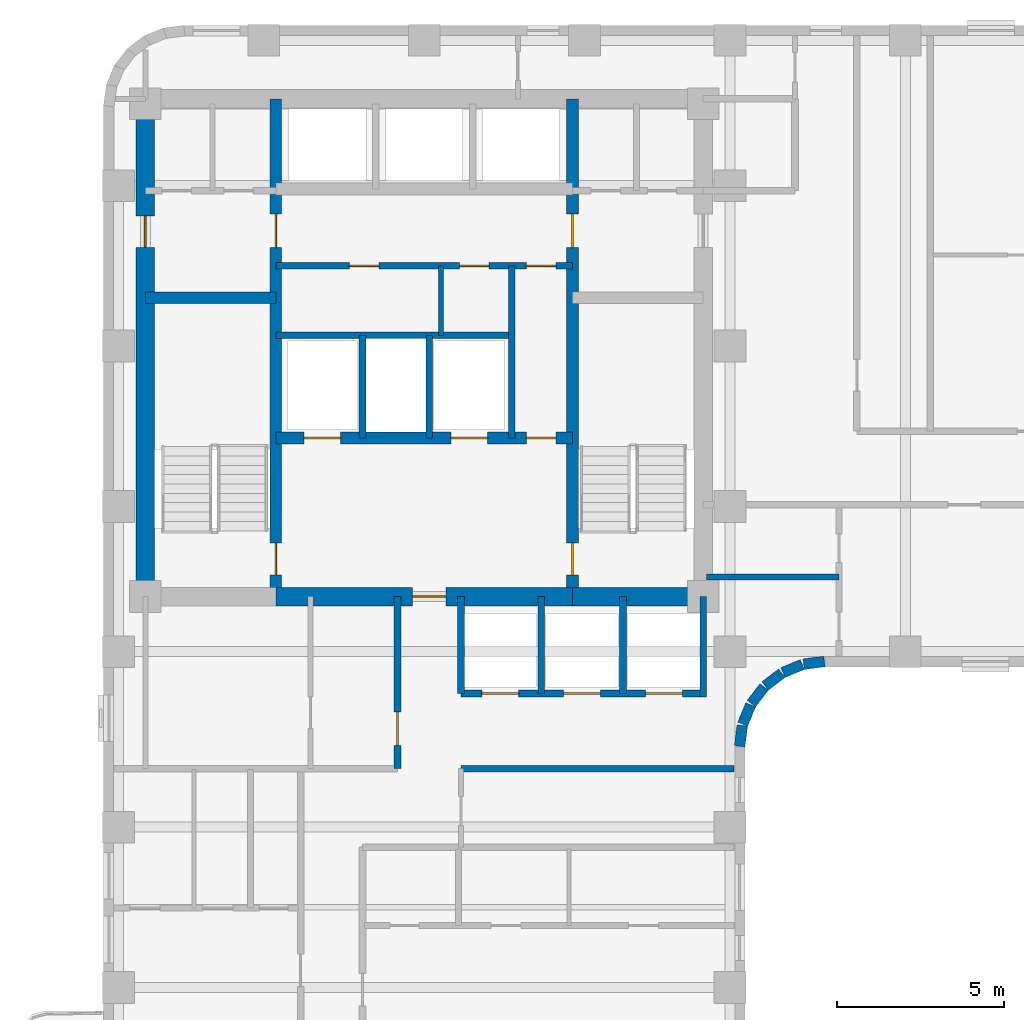
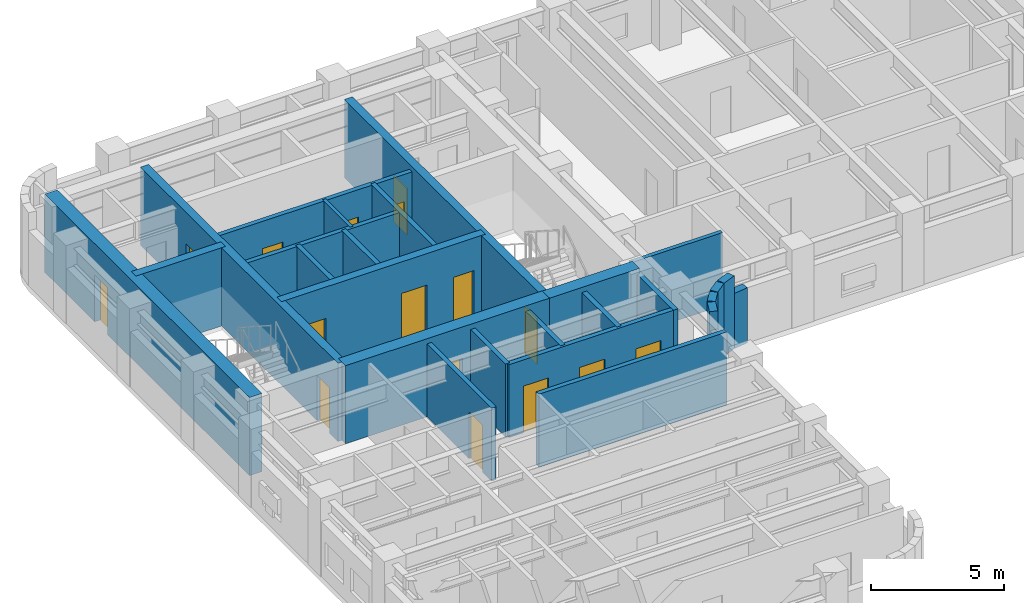
# One storey, part 4 of 10: 27 walls, 16 doors, 16 openings.
"""IFC4 building model written with IfcOpenShell, lengths in metres."""

from ifc_helpers import new_model, si_unit, direction, frame, frame_2d, origin, place, context, subcontext, project, spatial, rectangle, extrude, material, layer, layer_set, type_object, element, fill, save


model = new_model("IFC4")

# Units and contexts
model_context = context("Model", 3, precision=1e-05, world=origin(), true_north=direction((0.0, 1.0)))
body_context = subcontext(model_context, "Body", "Model", "MODEL_VIEW")
ifc_project = project(units=[si_unit("LENGTHUNIT", "METRE"), si_unit("AREAUNIT", "SQUARE_METRE"), si_unit("VOLUMEUNIT", "CUBIC_METRE"), si_unit("PLANEANGLEUNIT", "RADIAN"), si_unit("MASSUNIT", "GRAM", prefix="KILO")], contexts=[model_context])

# Site, building, storey
site_placement = place(None, origin())
site = spatial("IfcSite", under=ifc_project, at=site_placement, CompositionType="ELEMENT")
building_placement = place(site_placement, origin())
building = spatial("IfcBuilding", under=site, at=building_placement, Name="Orvandelia Arch Residences", CompositionType="ELEMENT")
storey_placement = place(building_placement, frame((0.0, 0.0, 121.60009765625)))
storey = spatial("IfcBuildingStorey", under=building, at=storey_placement, Name="L31", CompositionType="ELEMENT", Elevation=121.60009765625)

# Wall, openings, doors
ifc_material_1 = material(Name="Concrete C50/60", Category="concrete")
ifc_layer_1 = layer(ifc_material_1, 0.35009765625, Name="Concrete C50/60", Category="concrete")
ifc_layer_set_1 = layer_set([ifc_layer_1], Name="Concrete C50/60")
wall_type_1 = type_object("IfcWallType", Name="WL-CORE-350", PredefinedType="SHEAR", material=ifc_layer_set_1)
wall_1_placement = place(storey_placement, frame((9.9599609375, 30.89990234375, 0.0), z_axis=(0.0, 0.0, 1.0), x_axis=(0.0, 1.0, 0.0)))
wall_1 = element("IfcWall", 1, at=wall_1_placement, inside=storey, type_object=wall_type_1, Name="Core Shear Wall L31-WEB1", PredefinedType="SHEAR", context=body_context, shape_type="SweptSolid", body=[
    extrude(rectangle(XDim=14.900146484375, YDim=0.35009765625, at=frame_2d((7.4501953125, 0.0))), origin(), (0.0, 0.0, 1.0), 3.599853515625),
])
opening_1_placement = place(wall_1_placement, frame((0.64990234375, 0.0, 0.0)))
opening_1 = element("IfcOpeningElement", 2, at=opening_1_placement, cuts=wall_1, Name="Opening D7", PredefinedType="OPENING", context=body_context, shape_type="SweptSolid", body=[
    extrude(rectangle(XDim=0.949951171875, YDim=2.10009765625, at=frame_2d((0.47509765625, 1.050048828125))), frame((0.0, 0.18505859375, 0.0), z_axis=(0.0, -1.0, 0.0), x_axis=(1.0, 0.0, 0.0)), (0.0, 0.0, 1.0), 0.3701171875),
])
opening_2_placement = place(wall_1_placement, frame((10.449951171875, 0.0, 0.0)))
opening_2 = element("IfcOpeningElement", 3, at=opening_2_placement, cuts=wall_1, Name="Opening D6", PredefinedType="OPENING", context=body_context, shape_type="SweptSolid", body=[
    extrude(rectangle(XDim=1.0, YDim=2.14990234375, at=frame_2d((0.5, 1.074951171875))), frame((0.0, 0.18505859375, 0.0), z_axis=(0.0, -1.0, 0.0), x_axis=(1.0, 0.0, 0.0)), (0.0, 0.0, 1.0), 0.3701171875),
])
ifc_material_2 = material(Name="Smokeproof Painted Steel Fire Door", Category="steel")
door_type_1 = type_object("IfcDoorType", Name="DR-FD60-1000", OperationType="NOTDEFINED", PredefinedType="DOOR", material=ifc_material_2)
door_1_placement = place(opening_2_placement, origin())
door_1 = element("IfcDoor", 4, at=door_1_placement, inside=storey, type_object=door_type_1, Name="High-Rise Lift Hall West Vestibule Door L31", OperationType="SINGLE_SWING_LEFT", OverallHeight=2.14990234375, OverallWidth=1.0, PredefinedType="DOOR", context=body_context, shape_type="SweptSolid", body=[
    extrude(rectangle(XDim=1.0, YDim=2.14990234375, at=frame_2d((0.5, 1.074951171875))), frame((0.0, 0.02490234375, 0.0), z_axis=(0.0, -1.0, 0.0), x_axis=(1.0, 0.0, 0.0)), (0.0, 0.0, 1.0), 0.050048828125),
])
fill(opening_2, door_1)
ifc_material_3 = material(Name="Pressurised Stairwell Fire Door")
door_type_2 = type_object("IfcDoorType", Name="DR-STAIR-950", OperationType="NOTDEFINED", PredefinedType="DOOR", material=ifc_material_3)
door_2_placement = place(opening_1_placement, origin())
door_2 = element("IfcDoor", 5, at=door_2_placement, inside=storey, type_object=door_type_2, Name="Stairwell ST-1 Fire Door L31", OperationType="SINGLE_SWING_LEFT", OverallHeight=2.10009765625, OverallWidth=0.949951171875, PredefinedType="DOOR", context=body_context, shape_type="SweptSolid", body=[
    extrude(rectangle(XDim=0.949951171875, YDim=2.10009765625, at=frame_2d((0.47509765625, 1.050048828125))), frame((0.0, 0.02490234375, 0.0), z_axis=(0.0, -1.0, 0.0), x_axis=(1.0, 0.0, 0.0)), (0.0, 0.0, 1.0), 0.050048828125),
])
fill(opening_1, door_2)

wall_2_placement = place(storey_placement, frame((18.840087890625, 30.89990234375, 0.0), z_axis=(0.0, 0.0, 1.0), x_axis=(0.0, 1.0, 0.0)))
wall_2 = element("IfcWall", 6, at=wall_2_placement, inside=storey, type_object=wall_type_1, Name="Core Shear Wall L31-WEB2", PredefinedType="SHEAR", context=body_context, shape_type="SweptSolid", body=[
    extrude(rectangle(XDim=14.900146484375, YDim=0.35009765625, at=frame_2d((7.4501953125, 0.0))), origin(), (0.0, 0.0, 1.0), 3.599853515625),
])
opening_3_placement = place(wall_2_placement, frame((0.64990234375, 0.0, 0.0)))
opening_3 = element("IfcOpeningElement", 7, at=opening_3_placement, cuts=wall_2, Name="Opening D7", PredefinedType="OPENING", context=body_context, shape_type="SweptSolid", body=[
    extrude(rectangle(XDim=0.949951171875, YDim=2.10009765625, at=frame_2d((0.47509765625, 1.050048828125))), frame((0.0, 0.18505859375, 0.0), z_axis=(0.0, -1.0, 0.0), x_axis=(1.0, 0.0, 0.0)), (0.0, 0.0, 1.0), 0.3701171875),
])
opening_4_placement = place(wall_2_placement, frame((10.449951171875, 0.0, 0.0)))
opening_4 = element("IfcOpeningElement", 8, at=opening_4_placement, cuts=wall_2, Name="Opening D6", PredefinedType="OPENING", context=body_context, shape_type="SweptSolid", body=[
    extrude(rectangle(XDim=1.0, YDim=2.14990234375, at=frame_2d((0.5, 1.074951171875))), frame((0.0, 0.18505859375, 0.0), z_axis=(0.0, -1.0, 0.0), x_axis=(1.0, 0.0, 0.0)), (0.0, 0.0, 1.0), 0.3701171875),
])
door_3_placement = place(opening_4_placement, origin())
door_3 = element("IfcDoor", 9, at=door_3_placement, inside=storey, type_object=door_type_1, Name="High-Rise Lift Hall East Vestibule Door L31", OperationType="SINGLE_SWING_RIGHT", OverallHeight=2.14990234375, OverallWidth=1.0, PredefinedType="DOOR", context=body_context, shape_type="SweptSolid", body=[
    extrude(rectangle(XDim=1.0, YDim=2.14990234375, at=frame_2d((0.5, 1.074951171875))), frame((0.0, 0.02490234375, 0.0), z_axis=(0.0, -1.0, 0.0), x_axis=(1.0, 0.0, 0.0)), (0.0, 0.0, 1.0), 0.050048828125),
])
fill(opening_4, door_3)
door_4_placement = place(opening_3_placement, origin())
door_4 = element("IfcDoor", 10, at=door_4_placement, inside=storey, type_object=door_type_2, Name="Stairwell ST-2 Fire Door L31", OperationType="SINGLE_SWING_RIGHT", OverallHeight=2.10009765625, OverallWidth=0.949951171875, PredefinedType="DOOR", context=body_context, shape_type="SweptSolid", body=[
    extrude(rectangle(XDim=0.949951171875, YDim=2.10009765625, at=frame_2d((0.47509765625, 1.050048828125))), frame((0.0, 0.02490234375, 0.0), z_axis=(0.0, -1.0, 0.0), x_axis=(1.0, 0.0, 0.0)), (0.0, 0.0, 1.0), 0.050048828125),
])
fill(opening_3, door_4)

# Wall
wall_3_placement = place(storey_placement, frame((6.050048828125, 39.85009765625, 0.0), z_axis=(0.0, 0.0, 1.0), x_axis=(1.0, 0.0, 0.0)))
element("IfcWall", 11, at=wall_3_placement, inside=storey, type_object=wall_type_1, Name="Core Shear Wall L31-HZ1", PredefinedType="SHEAR", context=body_context, shape_type="SweptSolid", body=[
    extrude(rectangle(XDim=3.909912109375, YDim=0.35009765625, at=frame_2d((1.955078125, 0.0))), origin(), (0.0, 0.0, 1.0), 3.599853515625),
])

# Wall, openings, doors
wall_4_placement = place(storey_placement, frame((9.9599609375, 35.64990234375, 0.0), z_axis=(0.0, 0.0, 1.0), x_axis=(1.0, 0.0, 0.0)))
wall_4 = element("IfcWall", 12, at=wall_4_placement, inside=storey, type_object=wall_type_1, Name="Core Shear Wall L31-HZ3", PredefinedType="SHEAR", context=body_context, shape_type="SweptSolid", body=[
    extrude(rectangle(XDim=8.880126953125, YDim=0.35009765625, at=frame_2d((4.43994140625, 0.0))), origin(), (0.0, 0.0, 1.0), 3.599853515625),
])
opening_5_placement = place(wall_4_placement, frame((0.840087890625, 0.0, 0.0)))
opening_5 = element("IfcOpeningElement", 13, at=opening_5_placement, cuts=wall_4, Name="Opening FLD", PredefinedType="OPENING", context=body_context, shape_type="SweptSolid", body=[
    extrude(rectangle(XDim=1.10009765625, YDim=2.14990234375, at=frame_2d((0.550048828125, 1.074951171875))), frame((0.0, 0.18505859375, 0.0), z_axis=(0.0, -1.0, 0.0), x_axis=(1.0, 0.0, 0.0)), (0.0, 0.0, 1.0), 0.3701171875),
])
opening_6_placement = place(wall_4_placement, frame((5.239990234375, 0.0, 0.0)))
opening_6 = element("IfcOpeningElement", 14, at=opening_6_placement, cuts=wall_4, Name="Opening FLD", PredefinedType="OPENING", context=body_context, shape_type="SweptSolid", body=[
    extrude(rectangle(XDim=1.10009765625, YDim=2.14990234375, at=frame_2d((0.550048828125, 1.074951171875))), frame((0.0, 0.18505859375, 0.0), z_axis=(0.0, -1.0, 0.0), x_axis=(1.0, 0.0, 0.0)), (0.0, 0.0, 1.0), 0.3701171875),
])
opening_7_placement = place(wall_4_placement, frame((7.5, 0.0, 0.0)))
opening_7 = element("IfcOpeningElement", 15, at=opening_7_placement, cuts=wall_4, Name="Opening D5", PredefinedType="OPENING", context=body_context, shape_type="SweptSolid", body=[
    extrude(rectangle(XDim=0.8798828125, YDim=2.10009765625, at=frame_2d((0.43994140625, 1.050048828125))), frame((0.0, 0.18505859375, 0.0), z_axis=(0.0, -1.0, 0.0), x_axis=(1.0, 0.0, 0.0)), (0.0, 0.0, 1.0), 0.3701171875),
])
ifc_material_4 = material(Name="Firefighting Lift Stainless Sliding Door")
door_type_3 = type_object("IfcDoorType", Name="DR-FLFT-1100", OperationType="NOTDEFINED", PredefinedType="DOOR", material=ifc_material_4)
door_5_placement = place(opening_5_placement, origin())
door_5 = element("IfcDoor", 16, at=door_5_placement, inside=storey, type_object=door_type_3, Name="Firefighting Lift Landing Door FLD-FL1-L31", OperationType="SLIDING_TO_LEFT", OverallHeight=2.14990234375, OverallWidth=1.10009765625, PredefinedType="DOOR", context=body_context, shape_type="SweptSolid", body=[
    extrude(rectangle(XDim=1.10009765625, YDim=2.14990234375, at=frame_2d((0.550048828125, 1.074951171875))), frame((0.0, 0.02490234375, 0.0), z_axis=(0.0, -1.0, 0.0), x_axis=(1.0, 0.0, 0.0)), (0.0, 0.0, 1.0), 0.050048828125),
])
fill(opening_5, door_5)
door_6_placement = place(opening_6_placement, origin())
door_6 = element("IfcDoor", 17, at=door_6_placement, inside=storey, type_object=door_type_3, Name="Firefighting Lift Landing Door FLD-FL2-L31", OperationType="SLIDING_TO_RIGHT", OverallHeight=2.14990234375, OverallWidth=1.10009765625, PredefinedType="DOOR", context=body_context, shape_type="SweptSolid", body=[
    extrude(rectangle(XDim=1.10009765625, YDim=2.14990234375, at=frame_2d((0.550048828125, 1.074951171875))), frame((0.0, 0.02490234375, 0.0), z_axis=(0.0, -1.0, 0.0), x_axis=(1.0, 0.0, 0.0)), (0.0, 0.0, 1.0), 0.050048828125),
])
fill(opening_6, door_6)
ifc_material_5 = material(Name="Painted Galvanised Steel Service Door", Category="steel")
door_type_4 = type_object("IfcDoorType", Name="DR-SRV-880", OperationType="NOTDEFINED", PredefinedType="DOOR", material=ifc_material_5)
door_7_placement = place(opening_7_placement, origin())
door_7 = element("IfcDoor", 18, at=door_7_placement, inside=storey, type_object=door_type_4, Name="Core Stairway Passage South Fire Door L31", OperationType="SINGLE_SWING_LEFT", OverallHeight=2.10009765625, OverallWidth=0.8798828125, PredefinedType="DOOR", context=body_context, shape_type="SweptSolid", body=[
    extrude(rectangle(XDim=0.8798828125, YDim=2.10009765625, at=frame_2d((0.43994140625, 1.050048828125))), frame((0.0, 0.02490234375, 0.0), z_axis=(0.0, -1.0, 0.0), x_axis=(1.0, 0.0, 0.0)), (0.0, 0.0, 1.0), 0.050048828125),
])
fill(opening_7, door_7)

# Wall, opening, door
ifc_material_6 = material(Name="Concrete C60/75", Category="concrete")
ifc_layer_2 = layer(ifc_material_6, 0.550048828125, Name="Concrete C60/75", Category="concrete")
ifc_layer_set_2 = layer_set([ifc_layer_2], Name="Concrete C60/75")
wall_type_2 = type_object("IfcWallType", Name="WL-CORE-550", PredefinedType="SHEAR", material=ifc_layer_set_2)
wall_5_placement = place(storey_placement, frame((6.050048828125, 30.625, 0.0), z_axis=(0.0, 0.0, 1.0), x_axis=(0.0, 1.0, 0.0)))
wall_5 = element("IfcWall", 19, at=wall_5_placement, inside=storey, type_object=wall_type_2, Name="Core Shear Wall L31-W", PredefinedType="SHEAR", context=body_context, shape_type="SweptSolid", body=[
    extrude(rectangle(XDim=15.449951171875, YDim=0.550048828125, at=frame_2d((7.72509765625, 0.0))), origin(), (0.0, 0.0, 1.0), 3.599853515625),
])
opening_8_placement = place(wall_5_placement, frame((10.72509765625, 0.0, 0.0)))
opening_8 = element("IfcOpeningElement", 20, at=opening_8_placement, cuts=wall_5, Name="Opening D2", PredefinedType="OPENING", context=body_context, shape_type="SweptSolid", body=[
    extrude(rectangle(XDim=0.949951171875, YDim=2.14990234375, at=frame_2d((0.47509765625, 1.074951171875))), frame((0.0, 0.28515625, 0.0), z_axis=(0.0, -1.0, 0.0), x_axis=(1.0, 0.0, 0.0)), (0.0, 0.0, 1.0), 0.570068359375),
])
ifc_material_7 = material(Name="Solid-Core Timber Interior Fire Door", Category="wood")
door_type_5 = type_object("IfcDoorType", Name="DR-APT-950", OperationType="NOTDEFINED", PredefinedType="DOOR", material=ifc_material_7)
door_8_placement = place(opening_8_placement, origin())
door_8 = element("IfcDoor", 21, at=door_8_placement, inside=storey, type_object=door_type_5, Name="West Viewing Study Door L31", OperationType="SINGLE_SWING_RIGHT", OverallHeight=2.14990234375, OverallWidth=0.949951171875, PredefinedType="DOOR", context=body_context, shape_type="SweptSolid", body=[
    extrude(rectangle(XDim=0.949951171875, YDim=2.14990234375, at=frame_2d((0.47509765625, 1.074951171875))), frame((0.0, 0.02490234375, 0.0), z_axis=(0.0, -1.0, 0.0), x_axis=(1.0, 0.0, 0.0)), (0.0, 0.0, 1.0), 0.050048828125),
])
fill(opening_8, door_8)

wall_6_placement = place(storey_placement, frame((9.9599609375, 30.89990234375, 0.0), z_axis=(0.0, 0.0, 1.0), x_axis=(1.0, 0.0, 0.0)))
wall_6 = element("IfcWall", 22, at=wall_6_placement, inside=storey, type_object=wall_type_2, Name="Core Shear Wall L31-SM", PredefinedType="SHEAR", context=body_context, shape_type="SweptSolid", body=[
    extrude(rectangle(XDim=8.880126953125, YDim=0.550048828125, at=frame_2d((4.43994140625, 0.0))), origin(), (0.0, 0.0, 1.0), 3.599853515625),
])
opening_9_placement = place(wall_6_placement, frame((4.090087890625, 0.0, 0.0)))
opening_9 = element("IfcOpeningElement", 23, at=opening_9_placement, cuts=wall_6, Name="Opening D6", PredefinedType="OPENING", context=body_context, shape_type="SweptSolid", body=[
    extrude(rectangle(XDim=1.0, YDim=2.14990234375, at=frame_2d((0.5, 1.074951171875))), frame((0.0, 0.28515625, 0.0), z_axis=(0.0, -1.0, 0.0), x_axis=(1.0, 0.0, 0.0)), (0.0, 0.0, 1.0), 0.570068359375),
])
door_9_placement = place(opening_9_placement, origin())
door_9 = element("IfcDoor", 24, at=door_9_placement, inside=storey, type_object=door_type_1, Name="Firefighting Lobby Smokeproof Door L31", OperationType="SINGLE_SWING_LEFT", OverallHeight=2.14990234375, OverallWidth=1.0, PredefinedType="DOOR", context=body_context, shape_type="SweptSolid", body=[
    extrude(rectangle(XDim=1.0, YDim=2.14990234375, at=frame_2d((0.5, 1.074951171875))), frame((0.0, 0.02490234375, 0.0), z_axis=(0.0, -1.0, 0.0), x_axis=(1.0, 0.0, 0.0)), (0.0, 0.0, 1.0), 0.050048828125),
])
fill(opening_9, door_9)

# Walls
wall_7_placement = place(storey_placement, frame((18.840087890625, 30.89990234375, 0.0), z_axis=(0.0, 0.0, 1.0), x_axis=(1.0, 0.0, 0.0)))
element("IfcWall", 25, at=wall_7_placement, inside=storey, type_object=wall_type_2, Name="Core Shear Wall L31-SE", PredefinedType="SHEAR", context=body_context, shape_type="SweptSolid", body=[
    extrude(rectangle(XDim=3.909912109375, YDim=0.550048828125, at=frame_2d((1.955078125, 0.0))), origin(), (0.0, 0.0, 1.0), 3.599853515625),
])
ifc_material_8 = material(Name="Fire-Rated Corridor Partition")
ifc_layer_3 = layer(ifc_material_8, 0.199951171875, Name="Fire-Rated Corridor Partition")
ifc_layer_set_3 = layer_set([ifc_layer_3], Name="Fire-Rated Corridor Partition")
wall_type_3 = type_object("IfcWallType", Name="WL-CORR-200", PredefinedType="PARTITIONING", material=ifc_layer_set_3)
wall_8_placement = place(storey_placement, frame((15.5, 25.75, 0.0), z_axis=(0.0, 0.0, 1.0), x_axis=(1.0, 0.0, 0.0)))
element("IfcWall", 26, at=wall_8_placement, inside=storey, type_object=wall_type_3, Name="Interior Partition Wall WL-L31-WLNK-NE2", PredefinedType="PARTITIONING", context=body_context, shape_type="SweptSolid", body=[
    extrude(rectangle(XDim=8.179931640625, YDim=0.199951171875, at=frame_2d((4.08984375, 0.0))), origin(), (0.0, 0.0, 1.0), 3.35986328125),
])
ifc_material_9 = material(Name="Precast concrete C40/50", Category="concrete")
ifc_layer_4 = layer(ifc_material_9, 0.320068359375, Name="Precast concrete C40/50", Category="concrete")
ifc_layer_set_4 = layer_set([ifc_layer_4], Name="Precast concrete C40/50")
wall_type_4 = type_object("IfcWallType", Name="WL-EXT-STONE-320", PredefinedType="STANDARD", material=ifc_layer_set_4)
wall_9_placement = place(storey_placement, frame((26.379150390625, 28.95849609375, 0.0), z_axis=(0.0, 0.0, 1.0), x_axis=(-0.991447664465, -0.130504898859, 0.0)))
element("IfcWall", 27, at=wall_9_placement, inside=storey, type_object=wall_type_4, Name="Coral-Limestone Precast Facade Wall L31-022", PredefinedType="STANDARD", context=body_context, shape_type="SweptSolid", body=[
    extrude(rectangle(XDim=0.626708984375, YDim=0.320068359375, at=frame_2d((0.3134765625, 0.0))), origin(), (0.0, 0.0, 1.0), 2.539794921875),
])
wall_10_placement = place(storey_placement, frame((25.717529296875, 28.865966796875, 0.0), z_axis=(0.0, 0.0, 1.0), x_axis=(-0.923836271867, -0.382787856107, 0.0)))
element("IfcWall", 28, at=wall_10_placement, inside=storey, type_object=wall_type_4, Name="Coral-Limestone Precast Facade Wall L31-023", PredefinedType="STANDARD", context=body_context, shape_type="SweptSolid", body=[
    extrude(rectangle(XDim=0.626220703125, YDim=0.320068359375, at=frame_2d((0.31298828125, 0.0))), origin(), (0.0, 0.0, 1.0), 3.35986328125),
])
for number, where, z_axis, x_axis, name in (
    (29, (25.1025390625, 28.60546875, 0.0), (0.0, 0.0, 1.0), (-0.793405610854, -0.608693302629, 0.0), "Coral-Limestone Precast Facade Wall L31-024"),
    (30, (24.575927734375, 28.194580078125, 0.0), (0.0, 0.0, 1.0), (-0.608693302629, -0.793405610854, 0.0), "Coral-Limestone Precast Facade Wall L31-025"),
):
    element("IfcWall", number, at=place(storey_placement, frame(where, z_axis=z_axis, x_axis=x_axis)), inside=storey, type_object=wall_type_4, Name=name, PredefinedType="STANDARD", context=body_context, shape_type="SweptSolid", body=[
        extrude(rectangle(XDim=0.62646484375, YDim=0.320068359375, at=frame_2d((0.313232421875, 0.0))), origin(), (0.0, 0.0, 1.0), 3.35986328125),
    ])
wall_11_placement = place(storey_placement, frame((24.173583984375, 27.6611328125, 0.0), z_axis=(0.0, 0.0, 1.0), x_axis=(-0.382455093999, -0.923974080304, 0.0)))
element("IfcWall", 31, at=wall_11_placement, inside=storey, type_object=wall_type_4, Name="Coral-Limestone Precast Facade Wall L31-026", PredefinedType="STANDARD", context=body_context, shape_type="SweptSolid", body=[
    extrude(rectangle(XDim=0.626220703125, YDim=0.320068359375, at=frame_2d((0.31298828125, 0.0))), origin(), (0.0, 0.0, 1.0), 3.35986328125),
])
wall_12_placement = place(storey_placement, frame((23.923095703125, 27.0419921875, 0.0), z_axis=(0.0, 0.0, 1.0), x_axis=(-0.130555323746, -0.9914410257, 0.0)))
element("IfcWall", 32, at=wall_12_placement, inside=storey, type_object=wall_type_4, Name="Coral-Limestone Precast Facade Wall L31-027", PredefinedType="STANDARD", context=body_context, shape_type="SweptSolid", body=[
    extrude(rectangle(XDim=0.62646484375, YDim=0.320068359375, at=frame_2d((0.313232421875, 0.0))), origin(), (0.0, 0.0, 1.0), 2.539794921875),
])
ifc_material_10 = material(Name="Acoustic Gypsum Stud Partition")
ifc_layer_5 = layer(ifc_material_10, 0.14990234375, Name="Acoustic Gypsum Stud Partition")
ifc_layer_set_5 = layer_set([ifc_layer_5], Name="Acoustic Gypsum Stud Partition")
wall_type_5 = type_object("IfcWallType", Name="WL-PART-150", PredefinedType="PARTITIONING", material=ifc_layer_set_5)
wall_13_placement = place(storey_placement, frame((14.89990234375, 38.719970703125, 0.0), z_axis=(0.0, 0.0, 1.0), x_axis=(0.0, 1.0, 0.0)))
element("IfcWall", 33, at=wall_13_placement, inside=storey, type_object=wall_type_5, Name="Interior Partition Wall WL-L31-CSA-1", PredefinedType="PARTITIONING", context=body_context, shape_type="SweptSolid", body=[
    extrude(rectangle(XDim=2.080078125, YDim=0.14990234375, at=frame_2d((1.0400390625, 0.0))), origin(), (0.0, 0.0, 1.0), 3.35986328125),
])
ifc_material_11 = material(Name="Fire-Rated Shaft Enclosure Wall")
ifc_layer_6 = layer(ifc_material_11, 0.199951171875, Name="Fire-Rated Shaft Enclosure Wall")
ifc_layer_set_6 = layer_set([ifc_layer_6], Name="Fire-Rated Shaft Enclosure Wall")
wall_type_6 = type_object("IfcWallType", Name="WL-SHAFT-200", PredefinedType="POLYGONAL", material=ifc_layer_set_6)
wall_14_placement = place(storey_placement, frame((9.9599609375, 38.719970703125, 0.0), z_axis=(0.0, 0.0, 1.0), x_axis=(1.0, 0.0, 0.0)))
element("IfcWall", 34, at=wall_14_placement, inside=storey, type_object=wall_type_6, Name="Interior Partition Wall WL-L31-FLN", PredefinedType="POLYGONAL", context=body_context, shape_type="SweptSolid", body=[
    extrude(rectangle(XDim=7.06005859375, YDim=0.199951171875, at=frame_2d((3.530029296875, 0.0))), origin(), (0.0, 0.0, 1.0), 3.35986328125),
])
for number, where, z_axis, x_axis, name in (
    (35, (12.550048828125, 35.64990234375, 0.0), (0.0, 0.0, 1.0), (0.0, 1.0, 0.0), "Interior Partition Wall WL-L31-FLM1"),
    (36, (14.550048828125, 35.64990234375, 0.0), (0.0, 0.0, 1.0), (0.0, 1.0, 0.0), "Interior Partition Wall WL-L31-FLM2"),
):
    element("IfcWall", number, at=place(storey_placement, frame(where, z_axis=z_axis, x_axis=x_axis)), inside=storey, type_object=wall_type_6, Name=name, PredefinedType="POLYGONAL", context=body_context, shape_type="SweptSolid", body=[
        extrude(rectangle(XDim=3.070068359375, YDim=0.199951171875, at=frame_2d((1.53515625, 0.0))), origin(), (0.0, 0.0, 1.0), 3.35986328125),
    ])
wall_15_placement = place(storey_placement, frame((17.02001953125, 35.64990234375, 0.0), z_axis=(0.0, 0.0, 1.0), x_axis=(0.0, 1.0, 0.0)))
element("IfcWall", 37, at=wall_15_placement, inside=storey, type_object=wall_type_6, Name="Interior Partition Wall WL-L31-FLM3", PredefinedType="POLYGONAL", context=body_context, shape_type="SweptSolid", body=[
    extrude(rectangle(XDim=5.150146484375, YDim=0.199951171875, at=frame_2d((2.5751953125, 0.0))), origin(), (0.0, 0.0, 1.0), 3.35986328125),
])

# Wall, openings, doors
wall_16_placement = place(storey_placement, frame((9.9599609375, 40.800048828125, 0.0), z_axis=(0.0, 0.0, 1.0), x_axis=(1.0, 0.0, 0.0)))
wall_16 = element("IfcWall", 38, at=wall_16_placement, inside=storey, type_object=wall_type_6, Name="Interior Partition Wall WL-L31-HLH-S", PredefinedType="POLYGONAL", context=body_context, shape_type="SweptSolid", body=[
    extrude(rectangle(XDim=8.880126953125, YDim=0.199951171875, at=frame_2d((4.43994140625, 0.0))), origin(), (0.0, 0.0, 1.0), 3.35986328125),
])
opening_10_placement = place(wall_16_placement, frame((7.5, 0.0, 0.0)))
opening_10 = element("IfcOpeningElement", 39, at=opening_10_placement, cuts=wall_16, Name="Opening D5", PredefinedType="OPENING", context=body_context, shape_type="SweptSolid", body=[
    extrude(rectangle(XDim=0.8798828125, YDim=2.10009765625, at=frame_2d((0.43994140625, 1.050048828125))), frame((0.0, 0.10986328125, 0.0), z_axis=(0.0, -1.0, 0.0), x_axis=(1.0, 0.0, 0.0)), (0.0, 0.0, 1.0), 0.219970703125),
])
opening_11_placement = place(wall_16_placement, frame((2.199951171875, 0.0, 0.0)))
opening_11 = element("IfcOpeningElement", 40, at=opening_11_placement, cuts=wall_16, Name="Opening D5", PredefinedType="OPENING", context=body_context, shape_type="SweptSolid", body=[
    extrude(rectangle(XDim=0.8798828125, YDim=2.10009765625, at=frame_2d((0.43994140625, 1.050048828125))), frame((0.0, 0.10986328125, 0.0), z_axis=(0.0, -1.0, 0.0), x_axis=(1.0, 0.0, 0.0)), (0.0, 0.0, 1.0), 0.219970703125),
])
opening_12_placement = place(wall_16_placement, frame((5.5, 0.0, 0.0)))
opening_12 = element("IfcOpeningElement", 41, at=opening_12_placement, cuts=wall_16, Name="Opening D5", PredefinedType="OPENING", context=body_context, shape_type="SweptSolid", body=[
    extrude(rectangle(XDim=0.8798828125, YDim=2.10009765625, at=frame_2d((0.43994140625, 1.050048828125))), frame((0.0, 0.10986328125, 0.0), z_axis=(0.0, -1.0, 0.0), x_axis=(1.0, 0.0, 0.0)), (0.0, 0.0, 1.0), 0.219970703125),
])
door_10_placement = place(opening_10_placement, origin())
door_10 = element("IfcDoor", 42, at=door_10_placement, inside=storey, type_object=door_type_4, Name="Core Stairway Passage North Fire Door L31", OperationType="SINGLE_SWING_RIGHT", OverallHeight=2.10009765625, OverallWidth=0.8798828125, PredefinedType="DOOR", context=body_context, shape_type="SweptSolid", body=[
    extrude(rectangle(XDim=0.8798828125, YDim=2.10009765625, at=frame_2d((0.43994140625, 1.050048828125))), frame((0.0, 0.02490234375, 0.0), z_axis=(0.0, -1.0, 0.0), x_axis=(1.0, 0.0, 0.0)), (0.0, 0.0, 1.0), 0.050048828125),
])
fill(opening_10, door_10)
door_11_placement = place(opening_11_placement, origin())
door_11 = element("IfcDoor", 43, at=door_11_placement, inside=storey, type_object=door_type_4, Name="DR-L31-CSA1", OperationType="SINGLE_SWING_RIGHT", OverallHeight=2.10009765625, OverallWidth=0.8798828125, PredefinedType="DOOR", context=body_context, shape_type="SweptSolid", body=[
    extrude(rectangle(XDim=0.8798828125, YDim=2.10009765625, at=frame_2d((0.43994140625, 1.050048828125))), frame((0.0, 0.02490234375, 0.0), z_axis=(0.0, -1.0, 0.0), x_axis=(1.0, 0.0, 0.0)), (0.0, 0.0, 1.0), 0.050048828125),
])
fill(opening_11, door_11)
door_12_placement = place(opening_12_placement, origin())
door_12 = element("IfcDoor", 44, at=door_12_placement, inside=storey, type_object=door_type_4, Name="DR-L31-CSA2", OperationType="SINGLE_SWING_LEFT", OverallHeight=2.10009765625, OverallWidth=0.8798828125, PredefinedType="DOOR", context=body_context, shape_type="SweptSolid", body=[
    extrude(rectangle(XDim=0.8798828125, YDim=2.10009765625, at=frame_2d((0.43994140625, 1.050048828125))), frame((0.0, 0.02490234375, 0.0), z_axis=(0.0, -1.0, 0.0), x_axis=(1.0, 0.0, 0.0)), (0.0, 0.0, 1.0), 0.050048828125),
])
fill(opening_12, door_12)

# Wall, opening, door
wall_17_placement = place(storey_placement, frame((13.60009765625, 25.75, 0.0), z_axis=(0.0, 0.0, 1.0), x_axis=(0.0, 1.0, 0.0)))
wall_17 = element("IfcWall", 45, at=wall_17_placement, inside=storey, type_object=wall_type_6, Name="Interior Partition Wall WL-L31-B1REUSE-E", PredefinedType="POLYGONAL", context=body_context, shape_type="SweptSolid", body=[
    extrude(rectangle(XDim=5.14990234375, YDim=0.199951171875, at=frame_2d((2.574951171875, 0.0))), origin(), (0.0, 0.0, 1.0), 3.35986328125),
])
opening_13_placement = place(wall_17_placement, frame((0.699951171875, 0.0, 0.0)))
opening_13 = element("IfcOpeningElement", 46, at=opening_13_placement, cuts=wall_17, Name="Opening D6", PredefinedType="OPENING", context=body_context, shape_type="SweptSolid", body=[
    extrude(rectangle(XDim=1.0, YDim=2.14990234375, at=frame_2d((0.5, 1.074951171875))), frame((0.0, 0.10986328125, 0.0), z_axis=(0.0, -1.0, 0.0), x_axis=(1.0, 0.0, 0.0)), (0.0, 0.0, 1.0), 0.219970703125),
])
door_13_placement = place(opening_13_placement, origin())
door_13 = element("IfcDoor", 47, at=door_13_placement, inside=storey, type_object=door_type_1, Name="DR-L31-B1RE", OperationType="SINGLE_SWING_LEFT", OverallHeight=2.14990234375, OverallWidth=1.0, PredefinedType="DOOR", context=body_context, shape_type="SweptSolid", body=[
    extrude(rectangle(XDim=1.0, YDim=2.14990234375, at=frame_2d((0.5, 1.074951171875))), frame((0.0, 0.02490234375, 0.0), z_axis=(0.0, -1.0, 0.0), x_axis=(1.0, 0.0, 0.0)), (0.0, 0.0, 1.0), 0.050048828125),
])
fill(opening_13, door_13)

# Wall, openings, doors
wall_18_placement = place(storey_placement, frame((15.5, 28.0, 0.0), z_axis=(0.0, 0.0, 1.0), x_axis=(1.0, 0.0, 0.0)))
wall_18 = element("IfcWall", 48, at=wall_18_placement, inside=storey, type_object=wall_type_6, Name="Interior Partition Wall WL-L31-BNKM-S", PredefinedType="POLYGONAL", context=body_context, shape_type="SweptSolid", body=[
    extrude(rectangle(XDim=7.25, YDim=0.199951171875, at=frame_2d((3.625, 0.0))), origin(), (0.0, 0.0, 1.0), 3.35986328125),
])
opening_14_placement = place(wall_18_placement, frame((0.625, 0.0, 0.0)))
opening_14 = element("IfcOpeningElement", 49, at=opening_14_placement, cuts=wall_18, Name="Opening LD", PredefinedType="OPENING", context=body_context, shape_type="SweptSolid", body=[
    extrude(rectangle(XDim=1.10009765625, YDim=2.14990234375, at=frame_2d((0.550048828125, 1.074951171875))), frame((0.0, 0.10986328125, 0.0), z_axis=(0.0, -1.0, 0.0), x_axis=(1.0, 0.0, 0.0)), (0.0, 0.0, 1.0), 0.219970703125),
])
opening_15_placement = place(wall_18_placement, frame((3.074951171875, 0.0, 0.0)))
opening_15 = element("IfcOpeningElement", 50, at=opening_15_placement, cuts=wall_18, Name="Opening LD", PredefinedType="OPENING", context=body_context, shape_type="SweptSolid", body=[
    extrude(rectangle(XDim=1.10009765625, YDim=2.14990234375, at=frame_2d((0.550048828125, 1.074951171875))), frame((0.0, 0.10986328125, 0.0), z_axis=(0.0, -1.0, 0.0), x_axis=(1.0, 0.0, 0.0)), (0.0, 0.0, 1.0), 0.219970703125),
])
opening_16_placement = place(wall_18_placement, frame((5.52490234375, 0.0, 0.0)))
opening_16 = element("IfcOpeningElement", 51, at=opening_16_placement, cuts=wall_18, Name="Opening LD", PredefinedType="OPENING", context=body_context, shape_type="SweptSolid", body=[
    extrude(rectangle(XDim=1.10009765625, YDim=2.14990234375, at=frame_2d((0.550048828125, 1.074951171875))), frame((0.0, 0.10986328125, 0.0), z_axis=(0.0, -1.0, 0.0), x_axis=(1.0, 0.0, 0.0)), (0.0, 0.0, 1.0), 0.219970703125),
])
ifc_material_12 = material(Name="Brushed Stainless Steel Sliding Lift Door", Category="steel")
door_type_6 = type_object("IfcDoorType", Name="DR-LIFT-1100", OperationType="NOTDEFINED", PredefinedType="DOOR", material=ifc_material_12)
door_14_placement = place(opening_14_placement, origin())
door_14 = element("IfcDoor", 52, at=door_14_placement, inside=storey, type_object=door_type_6, Name="Lift Landing Door LD-PM1", OperationType="SLIDING_TO_LEFT", OverallHeight=2.14990234375, OverallWidth=1.10009765625, PredefinedType="DOOR", context=body_context, shape_type="SweptSolid", body=[
    extrude(rectangle(XDim=1.10009765625, YDim=2.14990234375, at=frame_2d((0.550048828125, 1.074951171875))), frame((0.0, 0.02490234375, 0.0), z_axis=(0.0, -1.0, 0.0), x_axis=(1.0, 0.0, 0.0)), (0.0, 0.0, 1.0), 0.050048828125),
])
fill(opening_14, door_14)
door_15_placement = place(opening_15_placement, origin())
door_15 = element("IfcDoor", 53, at=door_15_placement, inside=storey, type_object=door_type_6, Name="Lift Landing Door LD-PM2", OperationType="SLIDING_TO_RIGHT", OverallHeight=2.14990234375, OverallWidth=1.10009765625, PredefinedType="DOOR", context=body_context, shape_type="SweptSolid", body=[
    extrude(rectangle(XDim=1.10009765625, YDim=2.14990234375, at=frame_2d((0.550048828125, 1.074951171875))), frame((0.0, 0.02490234375, 0.0), z_axis=(0.0, -1.0, 0.0), x_axis=(1.0, 0.0, 0.0)), (0.0, 0.0, 1.0), 0.050048828125),
])
fill(opening_15, door_15)
door_16_placement = place(opening_16_placement, origin())
door_16 = element("IfcDoor", 54, at=door_16_placement, inside=storey, type_object=door_type_6, Name="Lift Landing Door LD-PM3", OperationType="SLIDING_TO_LEFT", OverallHeight=2.14990234375, OverallWidth=1.10009765625, PredefinedType="DOOR", context=body_context, shape_type="SweptSolid", body=[
    extrude(rectangle(XDim=1.10009765625, YDim=2.14990234375, at=frame_2d((0.550048828125, 1.074951171875))), frame((0.0, 0.02490234375, 0.0), z_axis=(0.0, -1.0, 0.0), x_axis=(1.0, 0.0, 0.0)), (0.0, 0.0, 1.0), 0.050048828125),
])
fill(opening_16, door_16)

# Walls
wall_19_placement = place(storey_placement, frame((15.5, 28.0, 0.0), z_axis=(0.0, 0.0, 1.0), x_axis=(0.0, 1.0, 0.0)))
element("IfcWall", 55, at=wall_19_placement, inside=storey, type_object=wall_type_6, Name="Interior Partition Wall WL-L31-BNKM-W", PredefinedType="POLYGONAL", context=body_context, shape_type="SweptSolid", body=[
    extrude(rectangle(XDim=2.89990234375, YDim=0.199951171875, at=frame_2d((1.449951171875, 0.0))), origin(), (0.0, 0.0, 1.0), 3.35986328125),
])
wall_20_placement = place(storey_placement, frame((22.75, 27.89990234375, 0.0), z_axis=(0.0, 0.0, 1.0), x_axis=(0.0, 1.0, 0.0)))
element("IfcWall", 56, at=wall_20_placement, inside=storey, type_object=wall_type_6, Name="Interior Partition Wall WL-L31-BNKM-E", PredefinedType="POLYGONAL", context=body_context, shape_type="SweptSolid", body=[
    extrude(rectangle(XDim=3.0, YDim=0.199951171875, at=frame_2d((1.5, 0.0))), origin(), (0.0, 0.0, 1.0), 3.35986328125),
])
for number, where, z_axis, x_axis, name in (
    (57, (17.89990234375, 28.0, 0.0), (0.0, 0.0, 1.0), (0.0, 1.0, 0.0), "Interior Partition Wall WL-L31-BNKMD-1789"),
    (58, (20.35009765625, 28.0, 0.0), (0.0, 0.0, 1.0), (0.0, 1.0, 0.0), "Interior Partition Wall WL-L31-BNKMD-2035"),
):
    element("IfcWall", number, at=place(storey_placement, frame(where, z_axis=z_axis, x_axis=x_axis)), inside=storey, type_object=wall_type_6, Name=name, PredefinedType="POLYGONAL", context=body_context, shape_type="SweptSolid", body=[
        extrude(rectangle(XDim=2.89990234375, YDim=0.199951171875, at=frame_2d((1.449951171875, 0.0))), origin(), (0.0, 0.0, 1.0), 3.35986328125),
    ])
ifc_material_13 = material(Name="Moisture-Resistant Plumbing Wall")
ifc_layer_7 = layer(ifc_material_13, 0.179931640625, Name="Moisture-Resistant Plumbing Wall")
ifc_layer_set_7 = layer_set([ifc_layer_7], Name="Moisture-Resistant Plumbing Wall")
wall_type_7 = type_object("IfcWallType", Name="WL-WET-180", PredefinedType="PLUMBINGWALL", material=ifc_layer_set_7)
wall_21_placement = place(storey_placement, frame((22.85009765625, 31.485107421875, 0.0), z_axis=(0.0, 0.0, 1.0), x_axis=(1.0, 0.0, 0.0)))
element("IfcWall", 59, at=wall_21_placement, inside=storey, type_object=wall_type_7, Name="Interior Partition Wall WL-L31-U05-H1", PredefinedType="PLUMBINGWALL", context=body_context, shape_type="SweptSolid", body=[
    extrude(rectangle(XDim=3.9638671875, YDim=0.179931640625, at=frame_2d((1.98193359375, 0.0))), origin(), (0.0, 0.0, 1.0), 3.35986328125),
])

save(model, "model.ifc")
